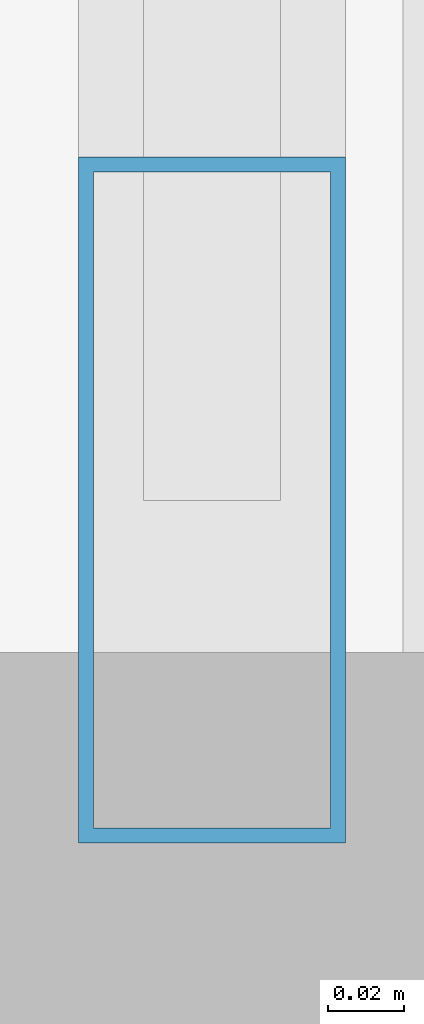
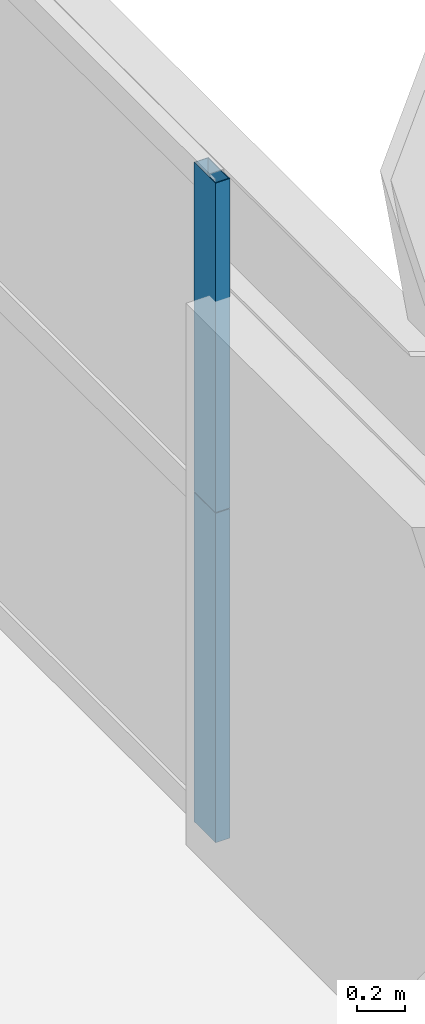
# One storey, part 17 of 43: 2 members, 1 element without a shape of its own.
"""IFC4 building model written with IfcOpenShell, lengths in metres."""

from ifc_helpers import new_model, si_unit, direction, frame, origin, origin_2d, place, context, subcontext, project, spatial, hollow_rectangle, extrude, source, transform, mapped, material, layer, layer_set, material_profile, profile_set, type_object, element, aggregate, save


model = new_model("IFC4")

# Units and contexts
model_context = context("Model", 3, precision=1e-05, world=origin(), true_north=direction((0.0, 1.0)))
body_context = subcontext(model_context, "Body", "Model", "MODEL_VIEW")
ifc_project = project(units=[si_unit("LENGTHUNIT", "METRE"), si_unit("AREAUNIT", "SQUARE_METRE"), si_unit("VOLUMEUNIT", "CUBIC_METRE"), si_unit("PLANEANGLEUNIT", "RADIAN"), si_unit("MASSUNIT", "GRAM", prefix="KILO"), si_unit("THERMODYNAMICTEMPERATUREUNIT", "KELVIN"), si_unit("POWERUNIT", "WATT")], contexts=[model_context])

# Site, building, storey
site_placement = place(None, origin())
site = spatial("IfcSite", under=ifc_project, at=site_placement, CompositionType="ELEMENT")
building_placement = place(site_placement, origin())
building = spatial("IfcBuilding", under=site, at=building_placement, Name="Yuzanri Waterfront Tower", CompositionType="ELEMENT")
storey_placement = place(building_placement, frame((0.0, 0.0, 46.0)))
storey = spatial("IfcBuildingStorey", under=building, at=storey_placement, Name="L11", CompositionType="ELEMENT", Elevation=46.0)

# Curtain wall, members
ifc_material_1 = material(Name="Anodized Architectural Bronze", Category="metal")
ifc_layer = layer(ifc_material_1, 0.159912109375)
ifc_layer_set = layer_set([ifc_layer], Name="Anodized Architectural Bronze")
curtain_wall_type = type_object("IfcCurtainWallType", Name="Anodized Bronze Hotel Lower-Tier Recessed Unitized Curtain Wall 8100", PredefinedType="NOTDEFINED", material=ifc_layer_set)
curtain_wall_placement = place(storey_placement, origin())
curtain_wall = element("IfcCurtainWall", 1, at=curtain_wall_placement, inside=storey, type_object=curtain_wall_type, Name="L11 Curtain Wall CW-L11-EL", PredefinedType="NOTDEFINED")
ifc_material_2 = material(Name="Anodized Architectural Bronze", Category="metal")
ifc_material_profile = material_profile(ifc_material_2, hollow_rectangle(XDim=0.070068359375, YDim=0.179931640625, WallThickness=0.00390625, at=origin_2d()), Name="CWM 70x180")
ifc_profile_set = profile_set([ifc_material_profile], Name="Anodized Architectural Bronze")
member_type = type_object("IfcMemberType", Name="Anodized Bronze Standard Curtain-Wall Mullion 70x180", PredefinedType="MULLION", material=ifc_profile_set)
shared_shape = source(origin(), body_context, "Body", "SweptSolid", [
    extrude(hollow_rectangle(XDim=0.070068359375, YDim=0.179931640625, WallThickness=0.00390625, at=origin_2d()), origin(), (0.0, 0.0, 1.0), 1.68798828125),
])
member_1_placement = place(storey_placement, frame((61.949951171875, 8.090087890625, 0.0), z_axis=(0.0, 0.0, 1.0), x_axis=(1.0, 0.0, 0.0)))
member_1 = element("IfcMember", 2, at=member_1_placement, type_object=member_type, Name="CW-L11-EL Lower Mullion 00", PredefinedType="MULLION", context=body_context, shape_type="MappedRepresentation", body=[
    mapped(shared_shape, transform((0.0, 0.0, 0.0), scale=1.0)),
])
member_2_placement = place(storey_placement, frame((61.949951171875, 8.090087890625, 1.69189453125), z_axis=(0.0, 0.0, 1.0), x_axis=(1.0, 0.0, 0.0)))
member_2 = element("IfcMember", 3, at=member_2_placement, type_object=member_type, Name="CW-L11-EL Upper Mullion 00", PredefinedType="MULLION", context=body_context, shape_type="MappedRepresentation", body=[
    mapped(shared_shape, transform((0.0, 0.0, 0.0), scale=1.0)),
])
aggregate(curtain_wall, [member_1, member_2])

save(model, "model.ifc")
